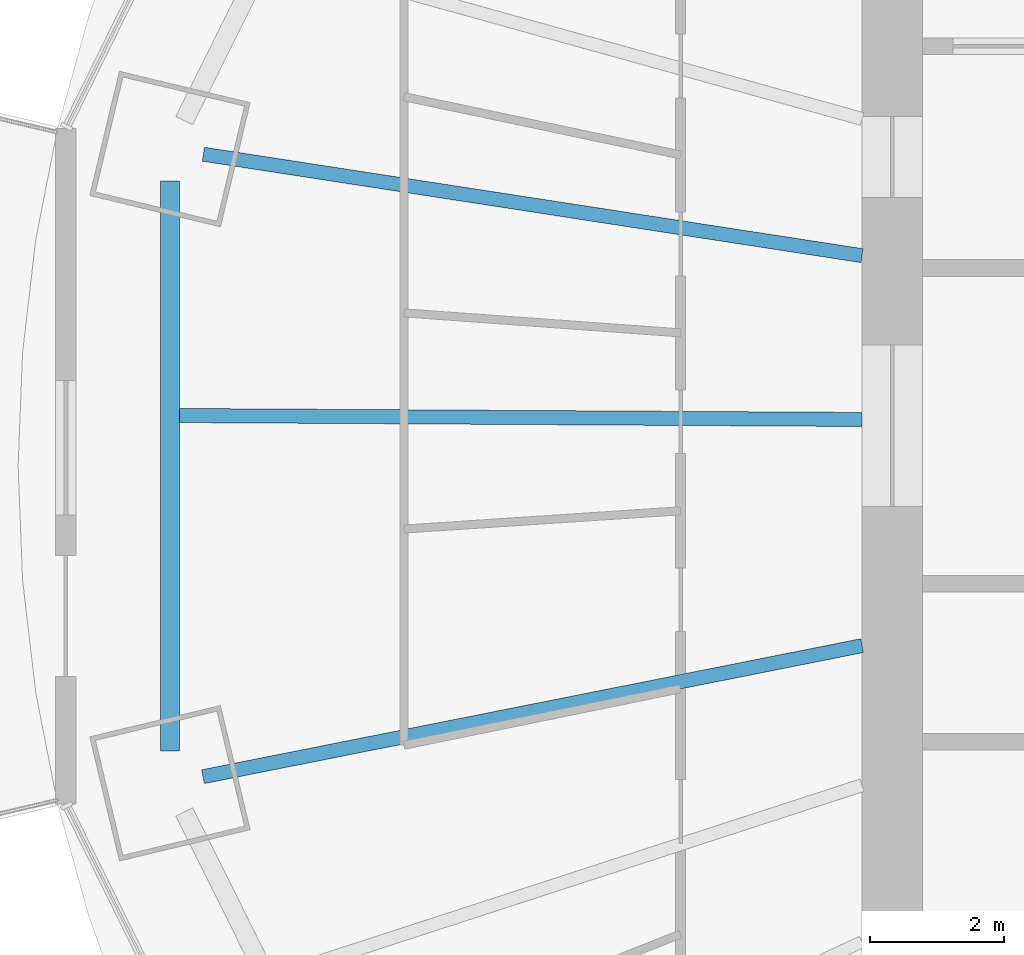
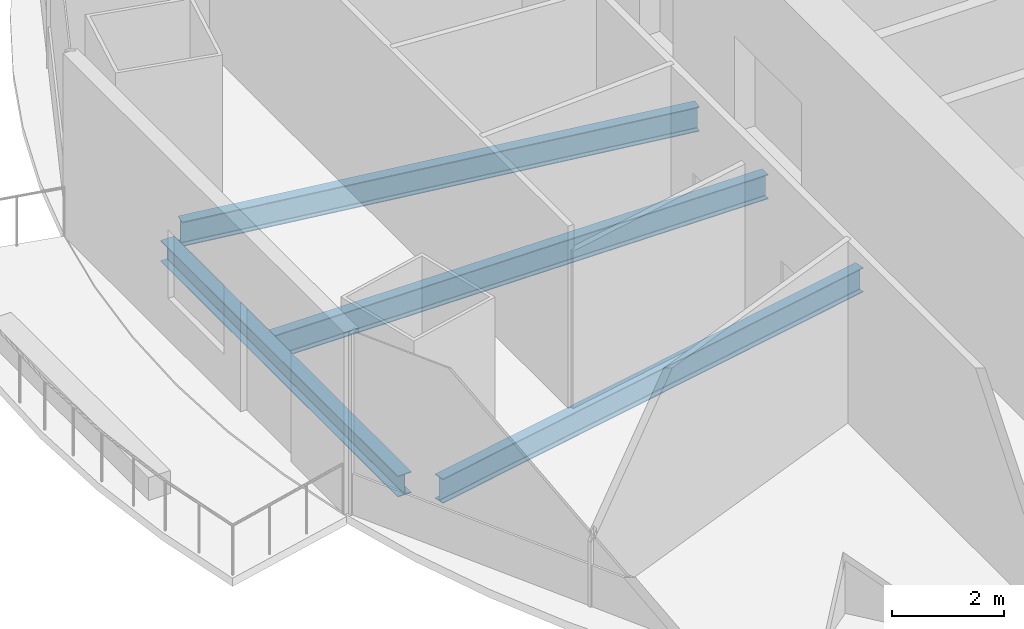
# One storey, part 3 of 19: 4 beams.
"""IFC4 building model written with IfcOpenShell, lengths in metres."""

from ifc_helpers import new_model, si_unit, direction, frame, origin, origin_2d, place, context, subcontext, project, spatial, i_section, extrude, material, material_profile, profile_set, type_object, element, save


model = new_model("IFC4")

# Units and contexts
model_context = context("Model", 3, precision=1e-05, world=origin(), true_north=direction((0.0, 1.0)))
body_context = subcontext(model_context, "Body", "Model", "MODEL_VIEW")
ifc_project = project(units=[si_unit("LENGTHUNIT", "METRE"), si_unit("AREAUNIT", "SQUARE_METRE"), si_unit("VOLUMEUNIT", "CUBIC_METRE"), si_unit("PLANEANGLEUNIT", "RADIAN"), si_unit("MASSUNIT", "GRAM", prefix="KILO")], contexts=[model_context])

# Site, building, storey
site_placement = place(None, origin())
site = spatial("IfcSite", under=ifc_project, at=site_placement, CompositionType="ELEMENT")
building_placement = place(site_placement, origin())
building = spatial("IfcBuilding", under=site, at=building_placement, Name="Marenthal Gate Tower", CompositionType="ELEMENT")
storey_placement = place(building_placement, frame((0.0, 0.0, 227.449951171875)))
storey = spatial("IfcBuildingStorey", under=building, at=storey_placement, Name="L50", CompositionType="ELEMENT", Elevation=227.449951171875)

# Beams
ifc_material_1 = material(Name="Steel S355", Category="steel")
ifc_material_profile_1 = material_profile(ifc_material_1, i_section(OverallWidth=0.279052734375, OverallDepth=0.4619140625, WebThickness=0.0107421875, FlangeThickness=0.017333984375, FilletRadius=0.010009765625, at=origin_2d()), Name="W460X113")
ifc_profile_set_1 = profile_set([ifc_material_profile_1], Name="Steel S355")
beam_type_1 = type_object("IfcBeamType", Name="W460X113 beam", PredefinedType="BEAM", material=ifc_profile_set_1)
beam_1_placement = place(storey_placement, frame((-26.748779296875, 3.6416015625, -0.410888671875), z_axis=(0.0, -1.0, 0.0), x_axis=(1.0, 0.0, 0.0)))
element("IfcBeam", 1, at=beam_1_placement, inside=storey, type_object=beam_type_1, Name="BM-L50-48", PredefinedType="BEAM", context=body_context, shape_type="SweptSolid", body=[
    extrude(i_section(OverallWidth=0.279052734375, OverallDepth=0.4619140625, WebThickness=0.0107421875, FlangeThickness=0.017333984375, FilletRadius=0.010009765625, at=origin_2d()), origin(), (0.0, 0.0, 1.0), 8.483154296875),
])
ifc_material_2 = material(Name="Steel S355", Category="steel")
ifc_material_profile_2 = material_profile(ifc_material_2, i_section(OverallWidth=0.2099609375, OverallDepth=0.535888671875, WebThickness=0.010986328125, FlangeThickness=0.017333984375, FilletRadius=0.0126953125, at=origin_2d()), Name="W530X101")
ifc_profile_set_2 = profile_set([ifc_material_profile_2], Name="Steel S355")
beam_type_2 = type_object("IfcBeamType", Name="W530X101 beam", PredefinedType="BEAM", material=ifc_profile_set_2)
beam_2_placement = place(storey_placement, frame((-26.251220703125, 4.041748046875, -0.447998046875), z_axis=(0.988354329833, -0.1521700322, 0.0), x_axis=(0.1521700322, 0.988354329833, 0.0)))
element("IfcBeam", 2, at=beam_2_placement, inside=storey, type_object=beam_type_2, Name="BM-L50-08", PredefinedType="BEAM", context=body_context, shape_type="SweptSolid", body=[
    extrude(i_section(OverallWidth=0.2099609375, OverallDepth=0.535888671875, WebThickness=0.010986328125, FlangeThickness=0.017333984375, FilletRadius=0.0126953125, at=origin_2d()), origin(), (0.0, 0.0, 1.0), 9.916748046875),
])
beam_3_placement = place(storey_placement, frame((-26.257568359375, -5.220703125, -0.447998046875), z_axis=(0.980802597153, 0.195003244635, 0.0), x_axis=(-0.195003244635, 0.980802597153, 0.0)))
element("IfcBeam", 3, at=beam_3_placement, inside=storey, type_object=beam_type_2, Name="BM-L50-09", PredefinedType="BEAM", context=body_context, shape_type="SweptSolid", body=[
    extrude(i_section(OverallWidth=0.2099609375, OverallDepth=0.535888671875, WebThickness=0.010986328125, FlangeThickness=0.017333984375, FilletRadius=0.0126953125, at=origin_2d()), origin(), (0.0, 0.0, 1.0), 9.99951171875),
])
beam_4_placement = place(storey_placement, frame((-26.609130859375, 0.154052734375, -0.447998046875), z_axis=(0.999983229115, -0.005791501447, 0.0), x_axis=(0.005791501447, 0.999983229115, 0.0)))
element("IfcBeam", 4, at=beam_4_placement, inside=storey, type_object=beam_type_2, Name="BM-L50-28", PredefinedType="BEAM", context=body_context, shape_type="SweptSolid", body=[
    extrude(i_section(OverallWidth=0.2099609375, OverallDepth=0.535888671875, WebThickness=0.010986328125, FlangeThickness=0.017333984375, FilletRadius=0.0126953125, at=origin_2d()), origin(), (0.0, 0.0, 1.0), 10.159423828125),
])

save(model, "model.ifc")
